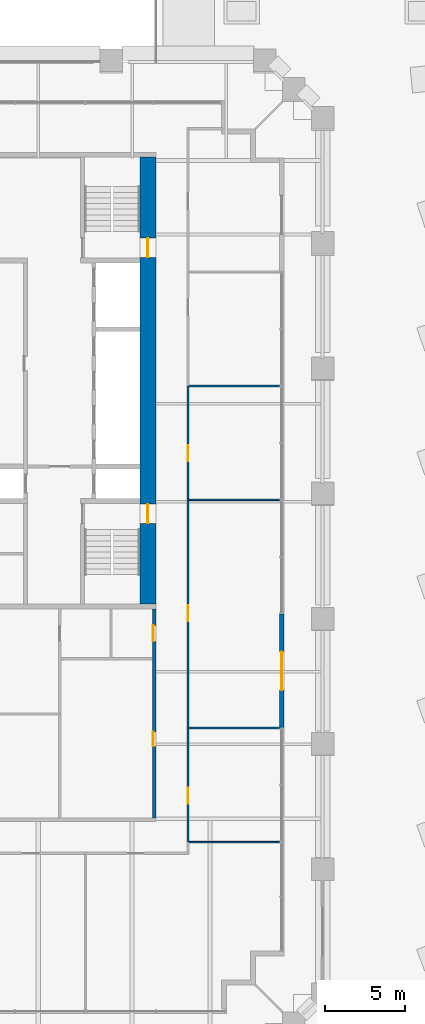
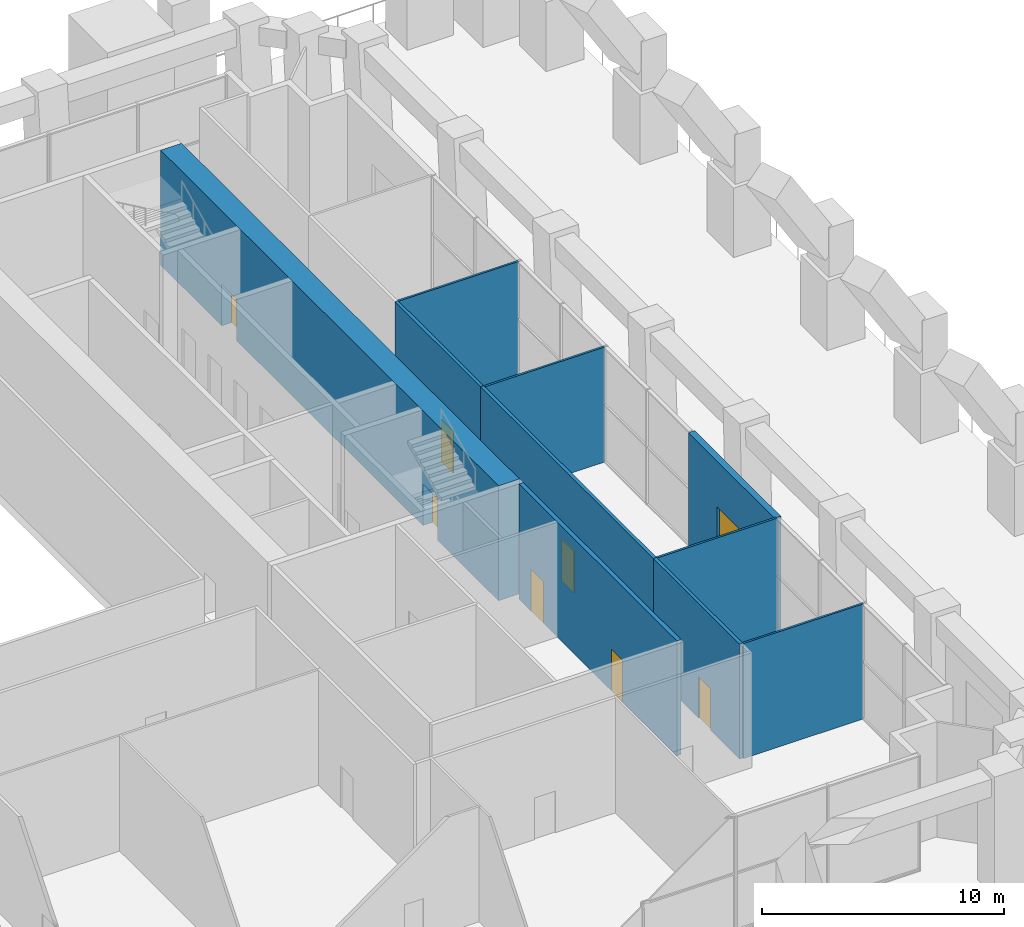
# One storey, part 15 of 20: 10 walls, 8 doors, 8 openings.
"""IFC4 building model written with IfcOpenShell, lengths in metres."""

from ifc_helpers import new_model, si_unit, direction, frame, frame_2d, origin, place, context, subcontext, project, spatial, rectangle, extrude, material, layer, layer_set, type_object, element, fill, save


model = new_model("IFC4")

# Units and contexts
model_context = context("Model", 3, precision=1e-05, world=origin(), true_north=direction((0.0, 1.0)))
body_context = subcontext(model_context, "Body", "Model", "MODEL_VIEW")
ifc_project = project(units=[si_unit("LENGTHUNIT", "METRE"), si_unit("AREAUNIT", "SQUARE_METRE"), si_unit("VOLUMEUNIT", "CUBIC_METRE"), si_unit("PLANEANGLEUNIT", "RADIAN"), si_unit("MASSUNIT", "GRAM", prefix="KILO")], contexts=[model_context])

# Site, building, storey
site_placement = place(None, origin())
site = spatial("IfcSite", under=ifc_project, at=site_placement, CompositionType="ELEMENT")
building_placement = place(site_placement, origin())
building = spatial("IfcBuilding", under=site, at=building_placement, Name="Ogive Exchange Tower", CompositionType="ELEMENT")
storey_placement = place(building_placement, frame((0.0, 0.0, 33.60009765625)))
storey = spatial("IfcBuildingStorey", under=building, at=storey_placement, Name="L06", CompositionType="ELEMENT", Elevation=33.60009765625)

# Wall, opening, door
ifc_material_1 = material(Name="Fire partition EI 60 150")
ifc_layer_1 = layer(ifc_material_1, 0.14990234375)
ifc_layer_set_1 = layer_set([ifc_layer_1], Name="Fire partition EI 60 150")
wall_type_1 = type_object("IfcWallType", Name="Fire partition EI 60 150", PredefinedType="PARTITIONING", material=ifc_layer_set_1)
wall_1_placement = place(storey_placement, frame((24.0, -10.169921875, 0.0), z_axis=(0.0, 0.0, 1.0), x_axis=(0.0, -1.0, 0.0)))
wall_1 = element("IfcWall", 1, at=wall_1_placement, inside=storey, type_object=wall_type_1, Name="L06-PWL-044", PredefinedType="PARTITIONING", context=body_context, shape_type="SweptSolid", body=[
    extrude(rectangle(XDim=7.1201171875, YDim=0.14990234375, at=frame_2d((3.56005859375, 0.0))), origin(), (0.0, 0.0, 1.0), 5.7998046875),
])
opening_1_placement = place(wall_1_placement, frame((3.719970703125, 0.0, 0.0)))
opening_1 = element("IfcOpeningElement", 2, at=opening_1_placement, cuts=wall_1, Name="Opening L06-I02", PredefinedType="OPENING", context=body_context, shape_type="SweptSolid", body=[
    extrude(rectangle(XDim=1.0, YDim=2.10009765625, at=frame_2d((0.5, 1.050048828125))), frame((0.0, 0.0849609375, 0.0), z_axis=(0.0, -1.0, 0.0), x_axis=(1.0, 0.0, 0.0)), (0.0, 0.0, 1.0), 0.169921875),
])
ifc_material_2 = material(Name="Fire door FD 30S 1000 x 2100")
door_type_1 = type_object("IfcDoorType", Name="Fire door FD 30S 1000 x 2100", OperationType="NOTDEFINED", PredefinedType="DOOR", material=ifc_material_2)
door_1_placement = place(opening_1_placement, origin())
door_1 = element("IfcDoor", 3, at=door_1_placement, inside=storey, type_object=door_type_1, Name="L06-IDR-002", ObjectType="DT3", OperationType="SINGLE_SWING_LEFT", OverallHeight=2.10009765625, OverallWidth=1.0, PredefinedType="DOOR", context=body_context, shape_type="SweptSolid", body=[
    extrude(rectangle(XDim=1.0, YDim=2.10009765625, at=frame_2d((0.5, 1.050048828125))), frame((0.0, 0.02490234375, 0.0), z_axis=(0.0, -1.0, 0.0), x_axis=(1.0, 0.0, 0.0)), (0.0, 0.0, 1.0), 0.050048828125),
])
fill(opening_1, door_1)

wall_2_placement = place(storey_placement, frame((24.0, 4.110107421875, 0.0), z_axis=(0.0, 0.0, 1.0), x_axis=(0.0, -1.0, 0.0)))
wall_2 = element("IfcWall", 4, at=wall_2_placement, inside=storey, type_object=wall_type_1, Name="L06-PWL-046", PredefinedType="PARTITIONING", context=body_context, shape_type="SweptSolid", body=[
    extrude(rectangle(XDim=14.280029296875, YDim=0.14990234375, at=frame_2d((7.14013671875, 0.0))), origin(), (0.0, 0.0, 1.0), 5.7998046875),
])
opening_2_placement = place(wall_2_placement, frame((6.6298828125, 0.0, 0.0)))
opening_2 = element("IfcOpeningElement", 5, at=opening_2_placement, cuts=wall_2, Name="Opening L06-I03", PredefinedType="OPENING", context=body_context, shape_type="SweptSolid", body=[
    extrude(rectangle(XDim=1.0, YDim=2.10009765625, at=frame_2d((0.5, 1.050048828125))), frame((0.0, 0.0849609375, 0.0), z_axis=(0.0, -1.0, 0.0), x_axis=(1.0, 0.0, 0.0)), (0.0, 0.0, 1.0), 0.169921875),
])
door_2_placement = place(opening_2_placement, origin())
door_2 = element("IfcDoor", 6, at=door_2_placement, inside=storey, type_object=door_type_1, Name="L06-IDR-003", ObjectType="DT3", OperationType="SINGLE_SWING_LEFT", OverallHeight=2.10009765625, OverallWidth=1.0, PredefinedType="DOOR", context=body_context, shape_type="SweptSolid", body=[
    extrude(rectangle(XDim=1.0, YDim=2.10009765625, at=frame_2d((0.5, 1.050048828125))), frame((0.0, 0.02490234375, 0.0), z_axis=(0.0, -1.0, 0.0), x_axis=(1.0, 0.0, 0.0)), (0.0, 0.0, 1.0), 0.050048828125),
])
fill(opening_2, door_2)

wall_3_placement = place(storey_placement, frame((24.0, 11.169921875, 0.0), z_axis=(0.0, 0.0, 1.0), x_axis=(0.0, -1.0, 0.0)))
wall_3 = element("IfcWall", 7, at=wall_3_placement, inside=storey, type_object=wall_type_1, Name="L06-PWL-048", PredefinedType="PARTITIONING", context=body_context, shape_type="SweptSolid", body=[
    extrude(rectangle(XDim=7.059814453125, YDim=0.14990234375, at=frame_2d((3.52978515625, 0.0))), origin(), (0.0, 0.0, 1.0), 5.7998046875),
])
opening_3_placement = place(wall_3_placement, frame((3.7099609375, 0.0, 0.0)))
opening_3 = element("IfcOpeningElement", 8, at=opening_3_placement, cuts=wall_3, Name="Opening L06-I04", PredefinedType="OPENING", context=body_context, shape_type="SweptSolid", body=[
    extrude(rectangle(XDim=1.0, YDim=2.10009765625, at=frame_2d((0.5, 1.050048828125))), frame((0.0, 0.0849609375, 0.0), z_axis=(0.0, -1.0, 0.0), x_axis=(1.0, 0.0, 0.0)), (0.0, 0.0, 1.0), 0.169921875),
])
door_3_placement = place(opening_3_placement, origin())
door_3 = element("IfcDoor", 9, at=door_3_placement, inside=storey, type_object=door_type_1, Name="L06-IDR-004", ObjectType="DT3", OperationType="SINGLE_SWING_LEFT", OverallHeight=2.10009765625, OverallWidth=1.0, PredefinedType="DOOR", context=body_context, shape_type="SweptSolid", body=[
    extrude(rectangle(XDim=1.0, YDim=2.10009765625, at=frame_2d((0.5, 1.050048828125))), frame((0.0, 0.02490234375, 0.0), z_axis=(0.0, -1.0, 0.0), x_axis=(1.0, 0.0, 0.0)), (0.0, 0.0, 1.0), 0.050048828125),
])
fill(opening_3, door_3)

ifc_material_3 = material(Name="Precast concrete C40/50", Category="concrete")
ifc_layer_2 = layer(ifc_material_3, 0.300048828125)
ifc_layer_set_2 = layer_set([ifc_layer_2], Name="Limestone-faced wall 300")
wall_type_2 = type_object("IfcWallType", Name="Limestone-faced wall 300", PredefinedType="STANDARD", material=ifc_layer_set_2)
wall_4_placement = place(storey_placement, frame((29.85009765625, -10.17138671875, 0.0), z_axis=(0.0, 0.0, 1.0), x_axis=(0.0, 1.0, 0.0)))
wall_4 = element("IfcWall", 10, at=wall_4_placement, inside=storey, type_object=wall_type_2, Name="External wall E2", PredefinedType="STANDARD", context=body_context, shape_type="SweptSolid", body=[
    extrude(rectangle(XDim=7.1142578125, YDim=0.300048828125, at=frame_2d((3.55712890625, 0.0))), origin(), (0.0, 0.0, 1.0), 5.7998046875),
])
opening_4_placement = place(wall_4_placement, frame((2.357177734375, 0.0, 0.0)))
opening_4 = element("IfcOpeningElement", 11, at=opening_4_placement, cuts=wall_4, Name="Opening D1", PredefinedType="OPENING", context=body_context, shape_type="SweptSolid", body=[
    extrude(rectangle(XDim=2.39990234375, YDim=3.5, at=frame_2d((1.199951171875, 1.75))), frame((0.0, 0.159912109375, 0.0), z_axis=(0.0, -1.0, 0.0), x_axis=(1.0, 0.0, 0.0)), (0.0, 0.0, 1.0), 0.320068359375),
])
ifc_material_4 = material(Name="Clear glass in bronze frame", Category="glass")
door_type_2 = type_object("IfcDoorType", Name="Sliding loggia door 2400 x 3500", OperationType="DOUBLE_DOOR_SLIDING", PredefinedType="DOOR", material=ifc_material_4)
door_4_placement = place(opening_4_placement, origin())
door_4 = element("IfcDoor", 12, at=door_4_placement, inside=storey, type_object=door_type_2, Name="Loggia door E02", OperationType="DOUBLE_DOOR_SLIDING", OverallHeight=3.5, OverallWidth=2.39990234375, PredefinedType="DOOR", context=body_context, shape_type="SweptSolid", body=[
    extrude(rectangle(XDim=2.39990234375, YDim=3.5, at=frame_2d((1.199951171875, 1.75))), frame((0.0, 0.02490234375, 0.0), z_axis=(0.0, -1.0, 0.0), x_axis=(1.0, 0.0, 0.0)), (0.0, 0.0, 1.0), 0.050048828125),
])
fill(opening_4, door_4)

# Walls
ifc_material_5 = material(Name="Partition 100 gypsum")
ifc_layer_3 = layer(ifc_material_5, 0.10009765625)
ifc_layer_set_3 = layer_set([ifc_layer_3], Name="Partition 100 gypsum")
wall_type_3 = type_object("IfcWallType", Name="Partition 100 gypsum", PredefinedType="PARTITIONING", material=ifc_layer_set_3)
for number, where, z_axis, x_axis, name in (
    (13, (24.074951171875, -17.2900390625, 0.0), (0.0, 0.0, 1.0), (1.0, 0.0, 0.0), "L06-PWL-043"),
    (14, (24.074951171875, -10.169921875, 0.0), (0.0, 0.0, 1.0), (1.0, 0.0, 0.0), "L06-PWL-045"),
    (15, (24.074951171875, 4.06005859375, 0.0), (0.0, 0.0, 1.0), (1.0, 0.0, 0.0), "L06-PWL-047"),
    (16, (24.074951171875, 11.169921875, 0.0), (0.0, 0.0, 1.0), (1.0, 0.0, 0.0), "L06-PWL-049"),
):
    element("IfcWall", number, at=place(storey_placement, frame(where, z_axis=z_axis, x_axis=x_axis)), inside=storey, type_object=wall_type_3, Name=name, PredefinedType="PARTITIONING", context=body_context, shape_type="SweptSolid", body=[
        extrude(rectangle(XDim=5.72509765625, YDim=0.10009765625, at=frame_2d((2.862548828125, 0.0))), origin(), (0.0, 0.0, 1.0), 5.7998046875),
    ])

# Wall, openings, doors
ifc_material_6 = material(Name="Concrete C70/85", Category="concrete")
ifc_layer_4 = layer(ifc_material_6, 1.0)
ifc_layer_set_4 = layer_set([ifc_layer_4], Name="RC core wall 1000 C70/85")
wall_type_4 = type_object("IfcWallType", Name="RC core wall 1000 C70/85", PredefinedType="SHEAR", material=ifc_layer_set_4)
wall_5_placement = place(storey_placement, frame((21.5, -2.449951171875, 0.0), z_axis=(0.0, 0.0, 1.0), x_axis=(0.0, 1.0, 0.0)))
wall_5 = element("IfcWall", 17, at=wall_5_placement, inside=storey, type_object=wall_type_4, Name="E outer wall", PredefinedType="SHEAR", context=body_context, shape_type="SweptSolid", body=[
    extrude(rectangle(XDim=27.89990234375, YDim=1.0, at=frame_2d((13.949951171875, 0.0))), origin(), (0.0, 0.0, 1.0), 5.7998046875),
])
opening_5_placement = place(wall_5_placement, frame((5.050048828125, 0.0, 0.0)))
opening_5 = element("IfcOpeningElement", 18, at=opening_5_placement, cuts=wall_5, Name="Opening L06-C34", PredefinedType="OPENING", context=body_context, shape_type="SweptSolid", body=[
    extrude(rectangle(XDim=1.199951171875, YDim=2.10009765625, at=frame_2d((0.60009765625, 1.050048828125))), frame((0.0, 0.510009765625, 0.0), z_axis=(0.0, -1.0, 0.0), x_axis=(1.0, 0.0, 0.0)), (0.0, 0.0, 1.0), 1.02001953125),
])
opening_6_placement = place(wall_5_placement, frame((21.64990234375, 0.0, 0.0)))
opening_6 = element("IfcOpeningElement", 19, at=opening_6_placement, cuts=wall_5, Name="Opening L06-C36", PredefinedType="OPENING", context=body_context, shape_type="SweptSolid", body=[
    extrude(rectangle(XDim=1.199951171875, YDim=2.10009765625, at=frame_2d((0.60009765625, 1.050048828125))), frame((0.0, 0.510009765625, 0.0), z_axis=(0.0, -1.0, 0.0), x_axis=(1.0, 0.0, 0.0)), (0.0, 0.0, 1.0), 1.02001953125),
])
ifc_material_7 = material(Name="Steel fire door", Category="steel")
door_type_3 = type_object("IfcDoorType", Name="Stair door FD90 1200 x 2100", OperationType="NOTDEFINED", PredefinedType="DOOR", material=ifc_material_7)
door_5_placement = place(opening_5_placement, origin())
door_5 = element("IfcDoor", 20, at=door_5_placement, inside=storey, type_object=door_type_3, Name="Stair door", ObjectType="CD5", OperationType="SINGLE_SWING_LEFT", OverallHeight=2.10009765625, OverallWidth=1.199951171875, PredefinedType="DOOR", context=body_context, shape_type="SweptSolid", body=[
    extrude(rectangle(XDim=1.199951171875, YDim=2.10009765625, at=frame_2d((0.60009765625, 1.050048828125))), frame((0.0, 0.02490234375, 0.0), z_axis=(0.0, -1.0, 0.0), x_axis=(1.0, 0.0, 0.0)), (0.0, 0.0, 1.0), 0.050048828125),
])
fill(opening_5, door_5)
door_6_placement = place(opening_6_placement, origin())
door_6 = element("IfcDoor", 21, at=door_6_placement, inside=storey, type_object=door_type_3, Name="Stair door", ObjectType="CD5", OperationType="SINGLE_SWING_RIGHT", OverallHeight=2.10009765625, OverallWidth=1.199951171875, PredefinedType="DOOR", context=body_context, shape_type="SweptSolid", body=[
    extrude(rectangle(XDim=1.199951171875, YDim=2.10009765625, at=frame_2d((0.60009765625, 1.050048828125))), frame((0.0, 0.02490234375, 0.0), z_axis=(0.0, -1.0, 0.0), x_axis=(1.0, 0.0, 0.0)), (0.0, 0.0, 1.0), 0.050048828125),
])
fill(opening_6, door_6)

ifc_layer_5 = layer(ifc_material_6, 0.199951171875)
ifc_layer_set_5 = layer_set([ifc_layer_5], Name="RC core wall 200 C70/85")
wall_type_5 = type_object("IfcWallType", Name="RC core wall 200 C70/85", PredefinedType="SHEAR", material=ifc_layer_set_5)
wall_6_placement = place(storey_placement, frame((21.89990234375, -15.800048828125, 0.0), z_axis=(0.0, 0.0, 1.0), x_axis=(0.0, 1.0, 0.0)))
wall_6 = element("IfcWall", 22, at=wall_6_placement, inside=storey, type_object=wall_type_5, Name="E annex S outer wall", PredefinedType="SHEAR", context=body_context, shape_type="SweptSolid", body=[
    extrude(rectangle(XDim=13.050048828125, YDim=0.199951171875, at=frame_2d((6.52490234375, 0.0))), origin(), (0.0, 0.0, 1.0), 5.7998046875),
])
opening_7_placement = place(wall_6_placement, frame((4.487548828125, 0.0, 0.0)))
opening_7 = element("IfcOpeningElement", 23, at=opening_7_placement, cuts=wall_6, Name="Opening L06-C39", PredefinedType="OPENING", context=body_context, shape_type="SweptSolid", body=[
    extrude(rectangle(XDim=0.89990234375, YDim=2.10009765625, at=frame_2d((0.449951171875, 1.050048828125))), frame((0.0, 0.10986328125, 0.0), z_axis=(0.0, -1.0, 0.0), x_axis=(1.0, 0.0, 0.0)), (0.0, 0.0, 1.0), 0.219970703125),
])
opening_8_placement = place(wall_6_placement, frame((11.03759765625, 0.0, 0.0)))
opening_8 = element("IfcOpeningElement", 24, at=opening_8_placement, cuts=wall_6, Name="Opening L06-C40", PredefinedType="OPENING", context=body_context, shape_type="SweptSolid", body=[
    extrude(rectangle(XDim=1.0, YDim=2.10009765625, at=frame_2d((0.5, 1.050048828125))), frame((0.0, 0.10986328125, 0.0), z_axis=(0.0, -1.0, 0.0), x_axis=(1.0, 0.0, 0.0)), (0.0, 0.0, 1.0), 0.219970703125),
])
ifc_material_8 = material(Name="Timber fire door", Category="wood")
door_type_4 = type_object("IfcDoorType", Name="Accessible WC door FD30S 1000 x 2100", OperationType="NOTDEFINED", PredefinedType="DOOR", material=ifc_material_8)
door_7_placement = place(opening_8_placement, origin())
door_7 = element("IfcDoor", 25, at=door_7_placement, inside=storey, type_object=door_type_4, Name="Accessible WC door", ObjectType="CD7", OperationType="SINGLE_SWING_LEFT", OverallHeight=2.10009765625, OverallWidth=1.0, PredefinedType="DOOR", context=body_context, shape_type="SweptSolid", body=[
    extrude(rectangle(XDim=1.0, YDim=2.10009765625, at=frame_2d((0.5, 1.050048828125))), frame((0.0, 0.10009765625, 0.0), z_axis=(0.0, -1.0, 0.0), x_axis=(1.0, 0.0, 0.0)), (0.0, 0.0, 1.0), 0.050048828125),
])
fill(opening_8, door_7)
door_type_5 = type_object("IfcDoorType", Name="Riser door FD60 900 x 2100", OperationType="NOTDEFINED", PredefinedType="DOOR", material=ifc_material_7)
door_8_placement = place(opening_7_placement, origin())
door_8 = element("IfcDoor", 26, at=door_8_placement, inside=storey, type_object=door_type_5, Name="Riser door", ObjectType="CD2", OperationType="SINGLE_SWING_RIGHT", OverallHeight=2.10009765625, OverallWidth=0.89990234375, PredefinedType="DOOR", context=body_context, shape_type="SweptSolid", body=[
    extrude(rectangle(XDim=0.89990234375, YDim=2.10009765625, at=frame_2d((0.449951171875, 1.050048828125))), frame((0.0, 0.10009765625, 0.0), z_axis=(0.0, -1.0, 0.0), x_axis=(1.0, 0.0, 0.0)), (0.0, 0.0, 1.0), 0.050048828125),
])
fill(opening_7, door_8)

save(model, "model.ifc")
